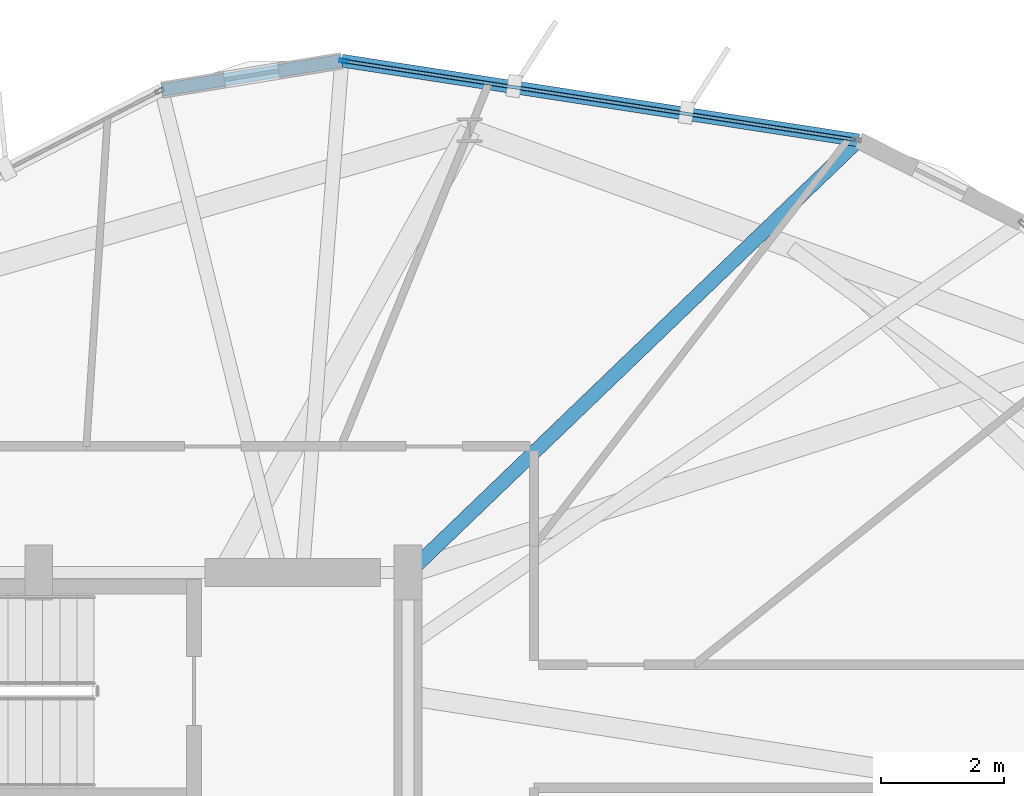
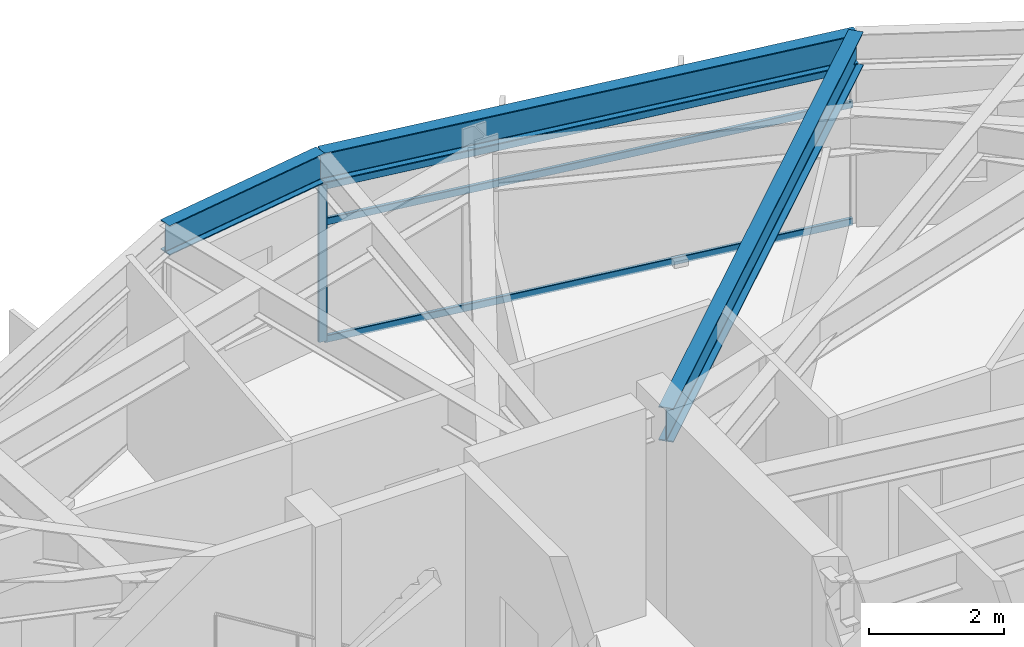
# One storey, part 14 of 22: 4 members, 3 beams, 1 element without a shape of its own.
"""IFC4 building model written with IfcOpenShell, lengths in metres."""

from ifc_helpers import new_model, si_unit, direction, frame, origin, origin_2d, place, context, subcontext, project, spatial, hollow_rectangle, i_section, extrude, material, layer, layer_set, material_profile, profile_set, type_object, element, aggregate, save


model = new_model("IFC4")

# Units and contexts
model_context = context("Model", 3, precision=1e-05, world=origin(), true_north=direction((0.0, 1.0)))
body_context = subcontext(model_context, "Body", "Model", "MODEL_VIEW")
ifc_project = project(units=[si_unit("LENGTHUNIT", "METRE"), si_unit("AREAUNIT", "SQUARE_METRE"), si_unit("VOLUMEUNIT", "CUBIC_METRE"), si_unit("PLANEANGLEUNIT", "RADIAN"), si_unit("MASSUNIT", "GRAM", prefix="KILO")], contexts=[model_context])

# Site, building, storey
site_placement = place(None, origin())
site = spatial("IfcSite", under=ifc_project, at=site_placement, CompositionType="ELEMENT")
building_placement = place(site_placement, origin())
building = spatial("IfcBuilding", under=site, at=building_placement, Name="Soratama Intermodal Tower", CompositionType="ELEMENT")
storey_placement = place(building_placement, frame((0.0, 0.0, 265.0)))
storey = spatial("IfcBuildingStorey", under=building, at=storey_placement, Name="L67", CompositionType="ELEMENT", Elevation=265.0)

# Beams
ifc_material_1 = material(Name="Structural steel ASTM A992 Grade 50", Category="steel")
ifc_material_profile_1 = material_profile(ifc_material_1, i_section(OverallWidth=0.2099609375, OverallDepth=0.537109375, WebThickness=0.010986328125, FlangeThickness=0.017333984375, FilletRadius=0.012939453125, at=origin_2d()), Name="W21X68")
ifc_profile_set_1 = profile_set([ifc_material_profile_1], Name="Structural steel ASTM A992 Grade 50")
beam_type_1 = type_object("IfcBeamType", Name="BM-SPN-W21X68", PredefinedType="SPANDREL", material=ifc_profile_set_1)
beam_1_placement = place(storey_placement, frame((51.923095703125, 42.02392578125, 3.181396484375), z_axis=(-0.988321500684, 0.152383106959, 0.0), x_axis=(-0.152383106959, -0.988321500684, 0.0)))
element("IfcBeam", 1, at=beam_1_placement, inside=storey, type_object=beam_type_1, Name="BS-L67-F01", PredefinedType="SPANDREL", context=body_context, shape_type="SweptSolid", body=[
    extrude(i_section(OverallWidth=0.2099609375, OverallDepth=0.537109375, WebThickness=0.010986328125, FlangeThickness=0.017333984375, FilletRadius=0.012939453125, at=origin_2d()), origin(), (0.0, 0.0, 1.0), 8.49951171875),
])
beam_2_placement = place(storey_placement, frame((43.52294921875, 43.319091796875, 3.181396484375), z_axis=(-0.986985711255, -0.16080797797, 0.0), x_axis=(0.16080797797, -0.986985711255, 0.0)))
element("IfcBeam", 2, at=beam_2_placement, inside=storey, type_object=beam_type_1, Name="BS-L67-CRN01", PredefinedType="SPANDREL", context=body_context, shape_type="SweptSolid", body=[
    extrude(i_section(OverallWidth=0.2099609375, OverallDepth=0.537109375, WebThickness=0.010986328125, FlangeThickness=0.017333984375, FilletRadius=0.012939453125, at=origin_2d()), origin(), (0.0, 0.0, 1.0), 2.966552734375),
])
ifc_material_2 = material(Name="Structural steel ASTM A992 Grade 50", Category="steel")
ifc_material_profile_2 = material_profile(ifc_material_2, i_section(OverallWidth=0.22900390625, OverallDepth=0.612060546875, WebThickness=0.011962890625, FlangeThickness=0.01953125, FilletRadius=0.012939453125, at=origin_2d()), Name="W24X84")
ifc_profile_set_2 = profile_set([ifc_material_profile_2], Name="Structural steel ASTM A992 Grade 50")
beam_type_2 = type_object("IfcBeamType", Name="BM-TIE-W24X84", PredefinedType="BEAM", material=ifc_profile_set_2)
beam_3_placement = place(storey_placement, frame((44.62890625, 35.011962890625, 3.14404296875), z_axis=(0.720916056936, 0.693022394192, 0.0), x_axis=(-0.693022394192, 0.720916056936, 0.0)))
element("IfcBeam", 3, at=beam_3_placement, inside=storey, type_object=beam_type_2, Name="BM-L67-TIE0-01", PredefinedType="BEAM", context=body_context, shape_type="SweptSolid", body=[
    extrude(i_section(OverallWidth=0.22900390625, OverallDepth=0.612060546875, WebThickness=0.011962890625, FlangeThickness=0.01953125, FilletRadius=0.012939453125, at=origin_2d()), origin(), (0.0, 0.0, 1.0), 10.117919921875),
])

# Curtain wall, members
ifc_material_3 = material(Name="Double-glazed aluminium curtain wall", Category="aluminium")
ifc_layer = layer(ifc_material_3, 0.159912109375)
ifc_layer_set = layer_set([ifc_layer], Name="Double-glazed aluminium curtain wall")
curtain_wall_type = type_object("IfcCurtainWallType", Name="CW-SYS-5", PredefinedType="NOTDEFINED", material=ifc_layer_set)
curtain_wall_placement = place(storey_placement, origin())
curtain_wall = element("IfcCurtainWall", 4, at=curtain_wall_placement, inside=storey, type_object=curtain_wall_type, Name="L67 Faceted Curtain Wall F01", PredefinedType="NOTDEFINED")
ifc_material_4 = material(Name="Anodised aluminium AA 6063-T6", Category="aluminium")
ifc_material_profile_3 = material_profile(ifc_material_4, hollow_rectangle(XDim=0.06494140625, YDim=0.139892578125, WallThickness=0.0048828125, InnerFilletRadius=0.0048828125, OuterFilletRadius=0.010009765625, at=origin_2d()), Name="CWM140X65X5")
ifc_profile_set_3 = profile_set([ifc_material_profile_3], Name="Anodised aluminium AA 6063-T6")
member_type_1 = type_object("IfcMemberType", Name="MT-CWM-5", PredefinedType="MULLION", material=ifc_profile_set_3)
member_1_placement = place(storey_placement, frame((43.55224609375, 43.31396484375, 0.0), z_axis=(0.0, 0.0, 1.0), x_axis=(-0.152296762317, -0.988334809762, 0.0)))
member_1 = element("IfcMember", 5, at=member_1_placement, type_object=member_type_1, Name="CW-5 mullion 2", PredefinedType="MULLION", context=body_context, shape_type="SweptSolid", body=[
    extrude(hollow_rectangle(XDim=0.06494140625, YDim=0.139892578125, WallThickness=0.0048828125, InnerFilletRadius=0.0048828125, OuterFilletRadius=0.010009765625, at=origin_2d()), origin(), (0.0, 0.0, 1.0), 2.8291015625),
])
ifc_material_5 = material(Name="Anodised aluminium AA 6063-T6", Category="aluminium")
ifc_material_profile_4 = material_profile(ifc_material_5, hollow_rectangle(XDim=0.06005859375, YDim=0.1298828125, WallThickness=0.0048828125, InnerFilletRadius=0.0048828125, OuterFilletRadius=0.010009765625, at=origin_2d()), Name="CWT130X60X5")
ifc_profile_set_4 = profile_set([ifc_material_profile_4], Name="Anodised aluminium AA 6063-T6")
member_type_2 = type_object("IfcMemberType", Name="TT-CWT-2", PredefinedType="USERDEFINED", material=ifc_profile_set_4)
member_2_placement = place(storey_placement, frame((51.864013671875, 42.033203125, 0.030029296875), z_axis=(-0.988336305101, 0.152287057948, 0.0), x_axis=(-0.152287057948, -0.988336305101, 0.0)))
member_2 = element("IfcMember", 6, at=member_2_placement, type_object=member_type_2, Name="CW-5 transom 1.1", ObjectType="TRANSOM", PredefinedType="USERDEFINED", context=body_context, shape_type="SweptSolid", body=[
    extrude(hollow_rectangle(XDim=0.06005859375, YDim=0.1298828125, WallThickness=0.0048828125, InnerFilletRadius=0.0048828125, OuterFilletRadius=0.010009765625, at=origin_2d()), origin(), (0.0, 0.0, 1.0), 8.379638671875),
])
member_3_placement = place(storey_placement, frame((51.864013671875, 42.033203125, 2.14990234375), z_axis=(-0.988336305101, 0.152287057948, 0.0), x_axis=(-0.152287057948, -0.988336305101, 0.0)))
member_3 = element("IfcMember", 7, at=member_3_placement, type_object=member_type_2, Name="CW-5 transom 1.2", ObjectType="TRANSOM", PredefinedType="USERDEFINED", context=body_context, shape_type="SweptSolid", body=[
    extrude(hollow_rectangle(XDim=0.06005859375, YDim=0.1298828125, WallThickness=0.0048828125, InnerFilletRadius=0.0048828125, OuterFilletRadius=0.010009765625, at=origin_2d()), origin(), (0.0, 0.0, 1.0), 8.379638671875),
])
member_4_placement = place(storey_placement, frame((51.864013671875, 42.033203125, 2.799072265625), z_axis=(-0.988336305101, 0.152287057948, 0.0), x_axis=(-0.152287057948, -0.988336305101, 0.0)))
member_4 = element("IfcMember", 8, at=member_4_placement, type_object=member_type_2, Name="CW-5 transom 1.3", ObjectType="TRANSOM", PredefinedType="USERDEFINED", context=body_context, shape_type="SweptSolid", body=[
    extrude(hollow_rectangle(XDim=0.06005859375, YDim=0.1298828125, WallThickness=0.0048828125, InnerFilletRadius=0.0048828125, OuterFilletRadius=0.010009765625, at=origin_2d()), origin(), (0.0, 0.0, 1.0), 8.379638671875),
])
aggregate(curtain_wall, [member_1, member_2, member_3, member_4])

save(model, "model.ifc")
